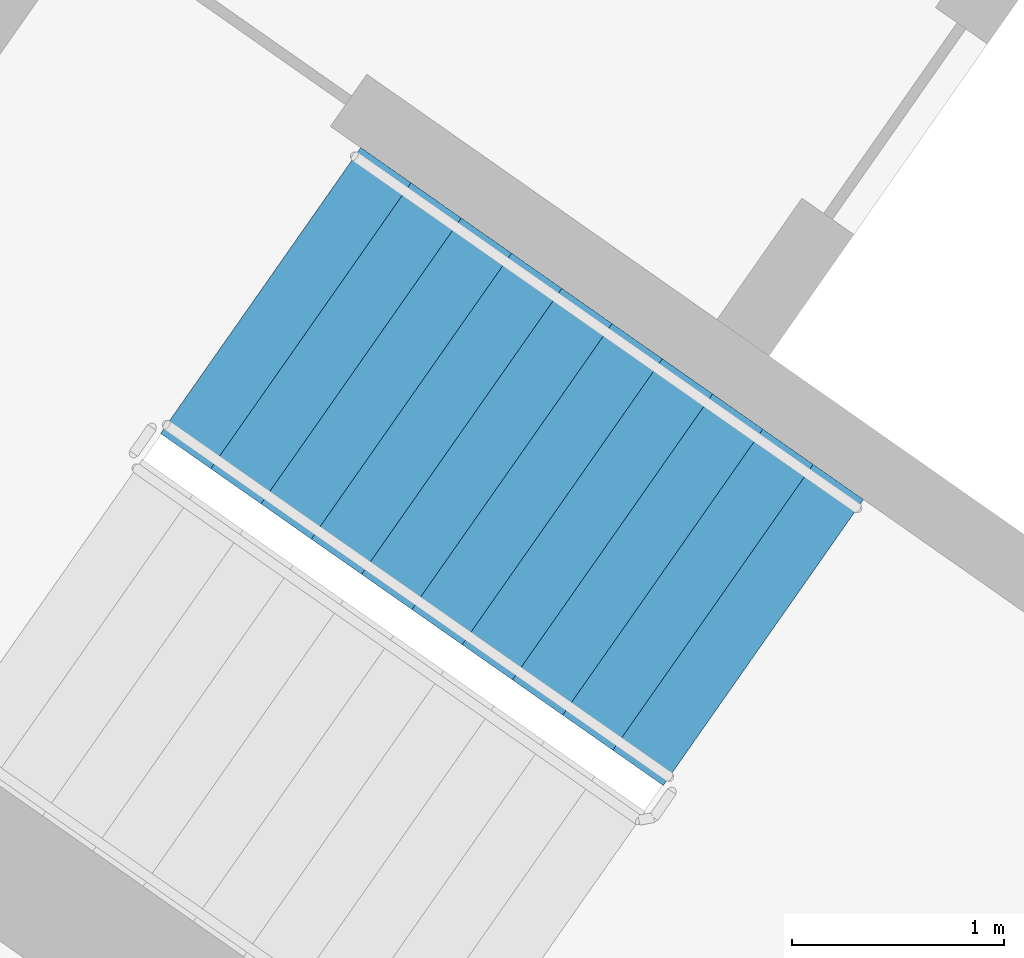
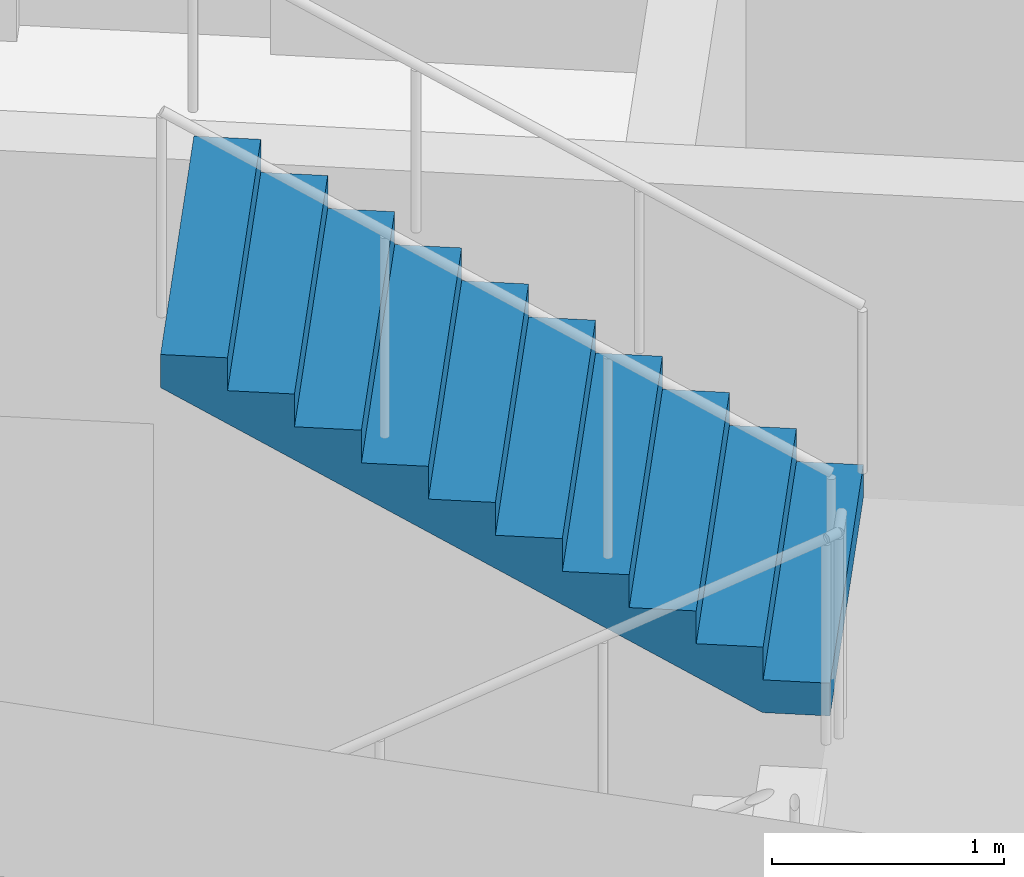
# One storey, part 10 of 27: 1 stair flight, 1 element without a shape of its own.
"""IFC4 building model written with IfcOpenShell, lengths in metres."""

from ifc_helpers import new_model, si_unit, direction, frame, origin, place, context, subcontext, project, spatial, faceted_brep, material, type_object, element, aggregate, save


model = new_model("IFC4")

# Units and contexts
model_context = context("Model", 3, precision=1e-05, world=origin(), true_north=direction((0.0, 1.0)))
body_context = subcontext(model_context, "Body", "Model", "MODEL_VIEW")
ifc_project = project(units=[si_unit("LENGTHUNIT", "METRE"), si_unit("AREAUNIT", "SQUARE_METRE"), si_unit("VOLUMEUNIT", "CUBIC_METRE"), si_unit("PLANEANGLEUNIT", "RADIAN"), si_unit("MASSUNIT", "GRAM", prefix="KILO")], contexts=[model_context])

# Site, building, storey
site_placement = place(None, origin())
site = spatial("IfcSite", under=ifc_project, at=site_placement, CompositionType="ELEMENT")
building_placement = place(site_placement, origin())
building = spatial("IfcBuilding", under=site, at=building_placement, Name="Qamariyya Broadcast Tower", CompositionType="ELEMENT")
storey_placement = place(building_placement, frame((0.0, 0.0, 172.10009765625)))
storey = spatial("IfcBuildingStorey", under=building, at=storey_placement, Name="L40", CompositionType="ELEMENT", Elevation=172.10009765625)

# Stair, stair flight
ifc_material = material(Name="Concrete C50/60", Category="concrete")
stair_type = type_object("IfcStairType", Name="Exit stair 22 risers of 173 mm", PredefinedType="HALF_TURN_STAIR", material=ifc_material)
stair_placement = place(storey_placement, origin())
stair = element("IfcStair", 1, at=stair_placement, inside=storey, type_object=stair_type, Name="L40 Stair W1", PredefinedType="HALF_TURN_STAIR")
stair_flight_type = type_object("IfcStairFlightType", Name="Exit stair flight 11 risers of 173 mm", PredefinedType="STRAIGHT", material=ifc_material)
stair_flight_placement = place(storey_placement, frame((-43.660888671875, -57.17138671875, 1.89990234375), z_axis=(0.0, 0.0, 1.0), x_axis=(-0.819152044289, 0.573576436351, 0.0)))
stair_flight = element("IfcStairFlight", 2, at=stair_flight_placement, type_object=stair_flight_type, Name="ST-W1 flight 2", NumberOfRisers=11, NumberOfTreads=10, PredefinedType="STRAIGHT", RiserHeight=0.172727273, TreadLength=0.29, context=body_context, shape_type="Brep", body=[
    faceted_brep([(0.0, 0.824951171875, 0.0), (0.0, 0.824951171875, 0.172607421875), (0.2900390625, 0.824951171875, 0.172607421875), (0.2900390625, 0.824951171875, 0.345458984375), (0.580078125, 0.824951171875, 0.345458984375), (0.580078125, 0.824951171875, 0.51806640625), (0.8701171875, 0.824951171875, 0.51806640625), (0.8701171875, 0.824951171875, 0.69091796875), (1.159912109375, 0.824951171875, 0.69091796875), (1.159912109375, 0.824951171875, 0.863525390625), (1.449951171875, 0.824951171875, 0.863525390625), (1.449951171875, 0.824951171875, 1.036376953125), (1.739990234375, 0.824951171875, 1.036376953125), (1.739990234375, 0.824951171875, 1.208984375), (2.030029296875, 0.824951171875, 1.208984375), (2.030029296875, 0.824951171875, 1.3818359375), (2.320068359375, 0.824951171875, 1.3818359375), (2.320068359375, 0.824951171875, 1.554443359375), (2.610107421875, 0.824951171875, 1.554443359375), (2.610107421875, 0.824951171875, 1.727294921875), (2.89990234375, 0.824951171875, 1.727294921875), (2.89990234375, 0.824951171875, 1.552734375), (0.29296875, 0.824951171875, 0.0), (0.29296875, -0.824951171875, 0.0), (2.89990234375, -0.824951171875, 1.552734375), (2.89990234375, -0.824951171875, 1.727294921875), (2.610107421875, -0.824951171875, 1.727294921875), (2.610107421875, -0.824951171875, 1.554443359375), (2.320068359375, -0.824951171875, 1.554443359375), (2.320068359375, -0.824951171875, 1.3818359375), (2.030029296875, -0.824951171875, 1.3818359375), (2.030029296875, -0.824951171875, 1.208984375), (1.739990234375, -0.824951171875, 1.208984375), (1.739990234375, -0.824951171875, 1.036376953125), (1.449951171875, -0.824951171875, 1.036376953125), (1.449951171875, -0.824951171875, 0.863525390625), (1.159912109375, -0.824951171875, 0.863525390625), (1.159912109375, -0.824951171875, 0.69091796875), (0.8701171875, -0.824951171875, 0.69091796875), (0.8701171875, -0.824951171875, 0.51806640625), (0.580078125, -0.824951171875, 0.51806640625), (0.580078125, -0.824951171875, 0.345458984375), (0.2900390625, -0.824951171875, 0.345458984375), (0.2900390625, -0.824951171875, 0.172607421875), (0.0, -0.824951171875, 0.172607421875), (0.0, -0.824951171875, 0.0), (0.0, 0.10009765625, 0.0), (0.0, 0.086669921875, 0.0), (0.0, 0.0732421875, 0.0), (0.0, 0.06005859375, 0.0), (0.0, 0.046630859375, 0.0), (0.0, 0.033447265625, 0.0), (0.0, 0.02001953125, 0.0), (0.0, 0.006591796875, 0.0), (0.0, -0.006591796875, 0.0), (0.0, -0.02001953125, 0.0), (0.0, -0.033447265625, 0.0), (0.0, -0.046630859375, 0.0), (0.0, -0.06005859375, 0.0), (0.0, -0.0732421875, 0.0), (0.0, -0.086669921875, 0.0), (0.0, -0.10009765625, 0.0), (0.0, -0.10009765625, 0.172607421875), (0.0, -0.086669921875, 0.172607421875), (0.0, -0.0732421875, 0.172607421875), (0.0, -0.06005859375, 0.172607421875), (0.0, -0.046630859375, 0.172607421875), (0.0, -0.033447265625, 0.172607421875), (0.0, -0.02001953125, 0.172607421875), (0.0, -0.006591796875, 0.172607421875), (0.0, 0.006591796875, 0.172607421875), (0.0, 0.02001953125, 0.172607421875), (0.0, 0.033447265625, 0.172607421875), (0.0, 0.046630859375, 0.172607421875), (0.0, 0.06005859375, 0.172607421875), (0.0, 0.0732421875, 0.172607421875), (0.0, 0.086669921875, 0.172607421875), (0.0, 0.10009765625, 0.172607421875), (0.2900390625, -0.10009765625, 0.172607421875), (0.2900390625, -0.086669921875, 0.172607421875), (0.2900390625, -0.0732421875, 0.172607421875), (0.2900390625, -0.06005859375, 0.172607421875), (0.2900390625, -0.046630859375, 0.172607421875), (0.2900390625, -0.033447265625, 0.172607421875), (0.2900390625, -0.02001953125, 0.172607421875), (0.2900390625, -0.006591796875, 0.172607421875), (0.2900390625, 0.006591796875, 0.172607421875), (0.2900390625, 0.02001953125, 0.172607421875), (0.2900390625, 0.033447265625, 0.172607421875), (0.2900390625, 0.046630859375, 0.172607421875), (0.2900390625, 0.06005859375, 0.172607421875), (0.2900390625, 0.0732421875, 0.172607421875), (0.2900390625, 0.086669921875, 0.172607421875), (0.2900390625, 0.10009765625, 0.172607421875), (0.2900390625, -0.10009765625, 0.345458984375), (0.2900390625, -0.086669921875, 0.345458984375), (0.2900390625, -0.0732421875, 0.345458984375), (0.2900390625, -0.06005859375, 0.345458984375), (0.2900390625, -0.046630859375, 0.345458984375), (0.2900390625, -0.033447265625, 0.345458984375), (0.2900390625, -0.02001953125, 0.345458984375), (0.2900390625, -0.006591796875, 0.345458984375), (0.2900390625, 0.006591796875, 0.345458984375), (0.2900390625, 0.02001953125, 0.345458984375), (0.2900390625, 0.033447265625, 0.345458984375), (0.2900390625, 0.046630859375, 0.345458984375), (0.2900390625, 0.06005859375, 0.345458984375), (0.2900390625, 0.0732421875, 0.345458984375), (0.2900390625, 0.086669921875, 0.345458984375), (0.2900390625, 0.10009765625, 0.345458984375), (0.580078125, -0.10009765625, 0.345458984375), (0.580078125, -0.086669921875, 0.345458984375), (0.580078125, -0.0732421875, 0.345458984375), (0.580078125, -0.06005859375, 0.345458984375), (0.580078125, -0.046630859375, 0.345458984375), (0.580078125, -0.033447265625, 0.345458984375), (0.580078125, -0.02001953125, 0.345458984375), (0.580078125, -0.006591796875, 0.345458984375), (0.580078125, 0.006591796875, 0.345458984375), (0.580078125, 0.02001953125, 0.345458984375), (0.580078125, 0.033447265625, 0.345458984375), (0.580078125, 0.046630859375, 0.345458984375), (0.580078125, 0.06005859375, 0.345458984375), (0.580078125, 0.0732421875, 0.345458984375), (0.580078125, 0.086669921875, 0.345458984375), (0.580078125, 0.10009765625, 0.345458984375), (0.580078125, -0.10009765625, 0.51806640625), (0.580078125, -0.086669921875, 0.51806640625), (0.580078125, -0.0732421875, 0.51806640625), (0.580078125, -0.06005859375, 0.51806640625), (0.580078125, -0.046630859375, 0.51806640625), (0.580078125, -0.033447265625, 0.51806640625), (0.580078125, -0.02001953125, 0.51806640625), (0.580078125, -0.006591796875, 0.51806640625), (0.580078125, 0.006591796875, 0.51806640625), (0.580078125, 0.02001953125, 0.51806640625), (0.580078125, 0.033447265625, 0.51806640625), (0.580078125, 0.046630859375, 0.51806640625), (0.580078125, 0.06005859375, 0.51806640625), (0.580078125, 0.0732421875, 0.51806640625), (0.580078125, 0.086669921875, 0.51806640625), (0.580078125, 0.10009765625, 0.51806640625), (0.8701171875, -0.10009765625, 0.51806640625), (0.8701171875, -0.086669921875, 0.51806640625), (0.8701171875, -0.0732421875, 0.51806640625), (0.8701171875, -0.06005859375, 0.51806640625), (0.8701171875, -0.046630859375, 0.51806640625), (0.8701171875, -0.033447265625, 0.51806640625), (0.8701171875, -0.02001953125, 0.51806640625), (0.8701171875, -0.006591796875, 0.51806640625), (0.8701171875, 0.006591796875, 0.51806640625), (0.8701171875, 0.02001953125, 0.51806640625), (0.8701171875, 0.033447265625, 0.51806640625), (0.8701171875, 0.046630859375, 0.51806640625), (0.8701171875, 0.06005859375, 0.51806640625), (0.8701171875, 0.0732421875, 0.51806640625), (0.8701171875, 0.086669921875, 0.51806640625), (0.8701171875, 0.10009765625, 0.51806640625), (0.8701171875, -0.10009765625, 0.69091796875), (0.8701171875, -0.086669921875, 0.69091796875), (0.8701171875, -0.0732421875, 0.69091796875), (0.8701171875, -0.06005859375, 0.69091796875), (0.8701171875, -0.046630859375, 0.69091796875), (0.8701171875, -0.033447265625, 0.69091796875), (0.8701171875, -0.02001953125, 0.69091796875), (0.8701171875, -0.006591796875, 0.69091796875), (0.8701171875, 0.006591796875, 0.69091796875), (0.8701171875, 0.02001953125, 0.69091796875), (0.8701171875, 0.033447265625, 0.69091796875), (0.8701171875, 0.046630859375, 0.69091796875), (0.8701171875, 0.06005859375, 0.69091796875), (0.8701171875, 0.0732421875, 0.69091796875), (0.8701171875, 0.086669921875, 0.69091796875), (0.8701171875, 0.10009765625, 0.69091796875), (1.159912109375, -0.10009765625, 0.69091796875), (1.159912109375, -0.086669921875, 0.69091796875), (1.159912109375, -0.0732421875, 0.69091796875), (1.159912109375, -0.06005859375, 0.69091796875), (1.159912109375, -0.046630859375, 0.69091796875), (1.159912109375, -0.033447265625, 0.69091796875), (1.159912109375, -0.02001953125, 0.69091796875), (1.159912109375, -0.006591796875, 0.69091796875), (1.159912109375, 0.006591796875, 0.69091796875), (1.159912109375, 0.02001953125, 0.69091796875), (1.159912109375, 0.033447265625, 0.69091796875), (1.159912109375, 0.046630859375, 0.69091796875), (1.159912109375, 0.06005859375, 0.69091796875), (1.159912109375, 0.0732421875, 0.69091796875), (1.159912109375, 0.086669921875, 0.69091796875), (1.159912109375, 0.10009765625, 0.69091796875), (1.159912109375, -0.10009765625, 0.863525390625), (1.159912109375, -0.086669921875, 0.863525390625), (1.159912109375, -0.0732421875, 0.863525390625), (1.159912109375, -0.06005859375, 0.863525390625), (1.159912109375, -0.046630859375, 0.863525390625), (1.159912109375, -0.033447265625, 0.863525390625), (1.159912109375, -0.02001953125, 0.863525390625), (1.159912109375, -0.006591796875, 0.863525390625), (1.159912109375, 0.006591796875, 0.863525390625), (1.159912109375, 0.02001953125, 0.863525390625), (1.159912109375, 0.033447265625, 0.863525390625), (1.159912109375, 0.046630859375, 0.863525390625), (1.159912109375, 0.06005859375, 0.863525390625), (1.159912109375, 0.0732421875, 0.863525390625), (1.159912109375, 0.086669921875, 0.863525390625), (1.159912109375, 0.10009765625, 0.863525390625), (1.449951171875, -0.10009765625, 0.863525390625), (1.449951171875, -0.086669921875, 0.863525390625), (1.449951171875, -0.0732421875, 0.863525390625), (1.449951171875, -0.06005859375, 0.863525390625), (1.449951171875, -0.046630859375, 0.863525390625), (1.449951171875, -0.033447265625, 0.863525390625), (1.449951171875, -0.02001953125, 0.863525390625), (1.449951171875, -0.006591796875, 0.863525390625), (1.449951171875, 0.006591796875, 0.863525390625), (1.449951171875, 0.02001953125, 0.863525390625), (1.449951171875, 0.033447265625, 0.863525390625), (1.449951171875, 0.046630859375, 0.863525390625), (1.449951171875, 0.06005859375, 0.863525390625), (1.449951171875, 0.0732421875, 0.863525390625), (1.449951171875, 0.086669921875, 0.863525390625), (1.449951171875, 0.10009765625, 0.863525390625), (1.449951171875, -0.10009765625, 1.036376953125), (1.449951171875, -0.086669921875, 1.036376953125), (1.449951171875, -0.0732421875, 1.036376953125), (1.449951171875, -0.06005859375, 1.036376953125), (1.449951171875, -0.046630859375, 1.036376953125), (1.449951171875, -0.033447265625, 1.036376953125), (1.449951171875, -0.02001953125, 1.036376953125), (1.449951171875, -0.006591796875, 1.036376953125), (1.449951171875, 0.006591796875, 1.036376953125), (1.449951171875, 0.02001953125, 1.036376953125), (1.449951171875, 0.033447265625, 1.036376953125), (1.449951171875, 0.046630859375, 1.036376953125), (1.449951171875, 0.06005859375, 1.036376953125), (1.449951171875, 0.0732421875, 1.036376953125), (1.449951171875, 0.086669921875, 1.036376953125), (1.449951171875, 0.10009765625, 1.036376953125), (1.739990234375, -0.10009765625, 1.036376953125), (1.739990234375, -0.086669921875, 1.036376953125), (1.739990234375, -0.0732421875, 1.036376953125), (1.739990234375, -0.06005859375, 1.036376953125), (1.739990234375, -0.046630859375, 1.036376953125), (1.739990234375, -0.033447265625, 1.036376953125), (1.739990234375, -0.02001953125, 1.036376953125), (1.739990234375, -0.006591796875, 1.036376953125), (1.739990234375, 0.006591796875, 1.036376953125), (1.739990234375, 0.02001953125, 1.036376953125), (1.739990234375, 0.033447265625, 1.036376953125), (1.739990234375, 0.046630859375, 1.036376953125), (1.739990234375, 0.06005859375, 1.036376953125), (1.739990234375, 0.0732421875, 1.036376953125), (1.739990234375, 0.086669921875, 1.036376953125), (1.739990234375, 0.10009765625, 1.036376953125), (1.739990234375, -0.10009765625, 1.208984375), (1.739990234375, -0.086669921875, 1.208984375), (1.739990234375, -0.0732421875, 1.208984375), (1.739990234375, -0.06005859375, 1.208984375), (1.739990234375, -0.046630859375, 1.208984375), (1.739990234375, -0.033447265625, 1.208984375), (1.739990234375, -0.02001953125, 1.208984375), (1.739990234375, -0.006591796875, 1.208984375), (1.739990234375, 0.006591796875, 1.208984375), (1.739990234375, 0.02001953125, 1.208984375), (1.739990234375, 0.033447265625, 1.208984375), (1.739990234375, 0.046630859375, 1.208984375), (1.739990234375, 0.06005859375, 1.208984375), (1.739990234375, 0.0732421875, 1.208984375), (1.739990234375, 0.086669921875, 1.208984375), (1.739990234375, 0.10009765625, 1.208984375), (2.030029296875, -0.10009765625, 1.208984375), (2.030029296875, -0.086669921875, 1.208984375), (2.030029296875, -0.0732421875, 1.208984375), (2.030029296875, -0.06005859375, 1.208984375), (2.030029296875, -0.046630859375, 1.208984375), (2.030029296875, -0.033447265625, 1.208984375), (2.030029296875, -0.02001953125, 1.208984375), (2.030029296875, -0.006591796875, 1.208984375), (2.030029296875, 0.006591796875, 1.208984375), (2.030029296875, 0.02001953125, 1.208984375), (2.030029296875, 0.033447265625, 1.208984375), (2.030029296875, 0.046630859375, 1.208984375), (2.030029296875, 0.06005859375, 1.208984375), (2.030029296875, 0.0732421875, 1.208984375), (2.030029296875, 0.086669921875, 1.208984375), (2.030029296875, 0.10009765625, 1.208984375), (2.030029296875, -0.10009765625, 1.3818359375), (2.030029296875, -0.086669921875, 1.3818359375), (2.030029296875, -0.0732421875, 1.3818359375), (2.030029296875, -0.06005859375, 1.3818359375), (2.030029296875, -0.046630859375, 1.3818359375), (2.030029296875, -0.033447265625, 1.3818359375), (2.030029296875, -0.02001953125, 1.3818359375), (2.030029296875, -0.006591796875, 1.3818359375), (2.030029296875, 0.006591796875, 1.3818359375), (2.030029296875, 0.02001953125, 1.3818359375), (2.030029296875, 0.033447265625, 1.3818359375), (2.030029296875, 0.046630859375, 1.3818359375), (2.030029296875, 0.06005859375, 1.3818359375), (2.030029296875, 0.0732421875, 1.3818359375), (2.030029296875, 0.086669921875, 1.3818359375), (2.030029296875, 0.10009765625, 1.3818359375), (2.320068359375, -0.10009765625, 1.3818359375), (2.320068359375, -0.086669921875, 1.3818359375), (2.320068359375, -0.0732421875, 1.3818359375), (2.320068359375, -0.06005859375, 1.3818359375), (2.320068359375, -0.046630859375, 1.3818359375), (2.320068359375, -0.033447265625, 1.3818359375), (2.320068359375, -0.02001953125, 1.3818359375), (2.320068359375, -0.006591796875, 1.3818359375), (2.320068359375, 0.006591796875, 1.3818359375), (2.320068359375, 0.02001953125, 1.3818359375), (2.320068359375, 0.033447265625, 1.3818359375), (2.320068359375, 0.046630859375, 1.3818359375), (2.320068359375, 0.06005859375, 1.3818359375), (2.320068359375, 0.0732421875, 1.3818359375), (2.320068359375, 0.086669921875, 1.3818359375), (2.320068359375, 0.10009765625, 1.3818359375), (2.320068359375, -0.10009765625, 1.554443359375), (2.320068359375, -0.086669921875, 1.554443359375), (2.320068359375, -0.0732421875, 1.554443359375), (2.320068359375, -0.06005859375, 1.554443359375), (2.320068359375, -0.046630859375, 1.554443359375), (2.320068359375, -0.033447265625, 1.554443359375), (2.320068359375, -0.02001953125, 1.554443359375), (2.320068359375, -0.006591796875, 1.554443359375), (2.320068359375, 0.006591796875, 1.554443359375), (2.320068359375, 0.02001953125, 1.554443359375), (2.320068359375, 0.033447265625, 1.554443359375), (2.320068359375, 0.046630859375, 1.554443359375), (2.320068359375, 0.06005859375, 1.554443359375), (2.320068359375, 0.0732421875, 1.554443359375), (2.320068359375, 0.086669921875, 1.554443359375), (2.320068359375, 0.10009765625, 1.554443359375), (2.610107421875, -0.10009765625, 1.554443359375), (2.610107421875, -0.086669921875, 1.554443359375), (2.610107421875, -0.0732421875, 1.554443359375), (2.610107421875, -0.06005859375, 1.554443359375), (2.610107421875, -0.046630859375, 1.554443359375), (2.610107421875, -0.033447265625, 1.554443359375), (2.610107421875, -0.02001953125, 1.554443359375), (2.610107421875, -0.006591796875, 1.554443359375), (2.610107421875, 0.006591796875, 1.554443359375), (2.610107421875, 0.02001953125, 1.554443359375), (2.610107421875, 0.033447265625, 1.554443359375), (2.610107421875, 0.046630859375, 1.554443359375), (2.610107421875, 0.06005859375, 1.554443359375), (2.610107421875, 0.0732421875, 1.554443359375), (2.610107421875, 0.086669921875, 1.554443359375), (2.610107421875, 0.10009765625, 1.554443359375), (2.610107421875, -0.10009765625, 1.727294921875), (2.610107421875, -0.086669921875, 1.727294921875), (2.610107421875, -0.0732421875, 1.727294921875), (2.610107421875, -0.06005859375, 1.727294921875), (2.610107421875, -0.046630859375, 1.727294921875), (2.610107421875, -0.033447265625, 1.727294921875), (2.610107421875, -0.02001953125, 1.727294921875), (2.610107421875, -0.006591796875, 1.727294921875), (2.610107421875, 0.006591796875, 1.727294921875), (2.610107421875, 0.02001953125, 1.727294921875), (2.610107421875, 0.033447265625, 1.727294921875), (2.610107421875, 0.046630859375, 1.727294921875), (2.610107421875, 0.06005859375, 1.727294921875), (2.610107421875, 0.0732421875, 1.727294921875), (2.610107421875, 0.086669921875, 1.727294921875), (2.610107421875, 0.10009765625, 1.727294921875), (2.89990234375, -0.10009765625, 1.727294921875), (2.89990234375, -0.086669921875, 1.727294921875), (2.89990234375, -0.0732421875, 1.727294921875), (2.89990234375, -0.06005859375, 1.727294921875), (2.89990234375, -0.046630859375, 1.727294921875), (2.89990234375, -0.033447265625, 1.727294921875), (2.89990234375, -0.02001953125, 1.727294921875), (2.89990234375, -0.006591796875, 1.727294921875), (2.89990234375, 0.006591796875, 1.727294921875), (2.89990234375, 0.02001953125, 1.727294921875), (2.89990234375, 0.033447265625, 1.727294921875), (2.89990234375, 0.046630859375, 1.727294921875), (2.89990234375, 0.06005859375, 1.727294921875), (2.89990234375, 0.0732421875, 1.727294921875), (2.89990234375, 0.086669921875, 1.727294921875), (2.89990234375, 0.10009765625, 1.727294921875), (2.89990234375, -0.10009765625, 1.552734375), (2.89990234375, -0.086669921875, 1.552734375), (2.89990234375, -0.0732421875, 1.552734375), (2.89990234375, -0.06005859375, 1.552734375), (2.89990234375, -0.046630859375, 1.552734375), (2.89990234375, -0.033447265625, 1.552734375), (2.89990234375, -0.02001953125, 1.552734375), (2.89990234375, -0.006591796875, 1.552734375), (2.89990234375, 0.006591796875, 1.552734375), (2.89990234375, 0.02001953125, 1.552734375), (2.89990234375, 0.033447265625, 1.552734375), (2.89990234375, 0.046630859375, 1.552734375), (2.89990234375, 0.06005859375, 1.552734375), (2.89990234375, 0.0732421875, 1.552734375), (2.89990234375, 0.086669921875, 1.552734375), (2.89990234375, 0.10009765625, 1.552734375), (0.29296875, -0.10009765625, 0.0), (0.29296875, -0.086669921875, 0.0), (0.29296875, -0.0732421875, 0.0), (0.29296875, -0.06005859375, 0.0), (0.29296875, -0.046630859375, 0.0), (0.29296875, -0.033447265625, 0.0), (0.29296875, -0.02001953125, 0.0), (0.29296875, -0.006591796875, 0.0), (0.29296875, 0.006591796875, 0.0), (0.29296875, 0.02001953125, 0.0), (0.29296875, 0.033447265625, 0.0), (0.29296875, 0.046630859375, 0.0), (0.29296875, 0.06005859375, 0.0), (0.29296875, 0.0732421875, 0.0), (0.29296875, 0.086669921875, 0.0), (0.29296875, 0.10009765625, 0.0)], [[[0, 1, 2, 3, 4, 5, 6, 7, 8, 9, 10, 11, 12, 13, 14, 15, 16, 17, 18, 19, 20, 21, 22]], [[23, 24, 25, 26, 27, 28, 29, 30, 31, 32, 33, 34, 35, 36, 37, 38, 39, 40, 41, 42, 43, 44, 45]], [[0, 46, 47, 48, 49, 50, 51, 52, 53, 54, 55, 56, 57, 58, 59, 60, 61, 45, 44, 62, 63, 64, 65, 66, 67, 68, 69, 70, 71, 72, 73, 74, 75, 76, 77, 1]], [[1, 77, 76, 75, 74, 73, 72, 71, 70, 69, 68, 67, 66, 65, 64, 63, 62, 44, 43, 78, 79, 80, 81, 82, 83, 84, 85, 86, 87, 88, 89, 90, 91, 92, 93, 2]], [[2, 93, 92, 91, 90, 89, 88, 87, 86, 85, 84, 83, 82, 81, 80, 79, 78, 43, 42, 94, 95, 96, 97, 98, 99, 100, 101, 102, 103, 104, 105, 106, 107, 108, 109, 3]], [[3, 109, 108, 107, 106, 105, 104, 103, 102, 101, 100, 99, 98, 97, 96, 95, 94, 42, 41, 110, 111, 112, 113, 114, 115, 116, 117, 118, 119, 120, 121, 122, 123, 124, 125, 4]], [[4, 125, 124, 123, 122, 121, 120, 119, 118, 117, 116, 115, 114, 113, 112, 111, 110, 41, 40, 126, 127, 128, 129, 130, 131, 132, 133, 134, 135, 136, 137, 138, 139, 140, 141, 5]], [[5, 141, 140, 139, 138, 137, 136, 135, 134, 133, 132, 131, 130, 129, 128, 127, 126, 40, 39, 142, 143, 144, 145, 146, 147, 148, 149, 150, 151, 152, 153, 154, 155, 156, 157, 6]], [[6, 157, 156, 155, 154, 153, 152, 151, 150, 149, 148, 147, 146, 145, 144, 143, 142, 39, 38, 158, 159, 160, 161, 162, 163, 164, 165, 166, 167, 168, 169, 170, 171, 172, 173, 7]], [[7, 173, 172, 171, 170, 169, 168, 167, 166, 165, 164, 163, 162, 161, 160, 159, 158, 38, 37, 174, 175, 176, 177, 178, 179, 180, 181, 182, 183, 184, 185, 186, 187, 188, 189, 8]], [[8, 189, 188, 187, 186, 185, 184, 183, 182, 181, 180, 179, 178, 177, 176, 175, 174, 37, 36, 190, 191, 192, 193, 194, 195, 196, 197, 198, 199, 200, 201, 202, 203, 204, 205, 9]], [[9, 205, 204, 203, 202, 201, 200, 199, 198, 197, 196, 195, 194, 193, 192, 191, 190, 36, 35, 206, 207, 208, 209, 210, 211, 212, 213, 214, 215, 216, 217, 218, 219, 220, 221, 10]], [[10, 221, 220, 219, 218, 217, 216, 215, 214, 213, 212, 211, 210, 209, 208, 207, 206, 35, 34, 222, 223, 224, 225, 226, 227, 228, 229, 230, 231, 232, 233, 234, 235, 236, 237, 11]], [[11, 237, 236, 235, 234, 233, 232, 231, 230, 229, 228, 227, 226, 225, 224, 223, 222, 34, 33, 238, 239, 240, 241, 242, 243, 244, 245, 246, 247, 248, 249, 250, 251, 252, 253, 12]], [[12, 253, 252, 251, 250, 249, 248, 247, 246, 245, 244, 243, 242, 241, 240, 239, 238, 33, 32, 254, 255, 256, 257, 258, 259, 260, 261, 262, 263, 264, 265, 266, 267, 268, 269, 13]], [[13, 269, 268, 267, 266, 265, 264, 263, 262, 261, 260, 259, 258, 257, 256, 255, 254, 32, 31, 270, 271, 272, 273, 274, 275, 276, 277, 278, 279, 280, 281, 282, 283, 284, 285, 14]], [[14, 285, 284, 283, 282, 281, 280, 279, 278, 277, 276, 275, 274, 273, 272, 271, 270, 31, 30, 286, 287, 288, 289, 290, 291, 292, 293, 294, 295, 296, 297, 298, 299, 300, 301, 15]], [[15, 301, 300, 299, 298, 297, 296, 295, 294, 293, 292, 291, 290, 289, 288, 287, 286, 30, 29, 302, 303, 304, 305, 306, 307, 308, 309, 310, 311, 312, 313, 314, 315, 316, 317, 16]], [[16, 317, 316, 315, 314, 313, 312, 311, 310, 309, 308, 307, 306, 305, 304, 303, 302, 29, 28, 318, 319, 320, 321, 322, 323, 324, 325, 326, 327, 328, 329, 330, 331, 332, 333, 17]], [[17, 333, 332, 331, 330, 329, 328, 327, 326, 325, 324, 323, 322, 321, 320, 319, 318, 28, 27, 334, 335, 336, 337, 338, 339, 340, 341, 342, 343, 344, 345, 346, 347, 348, 349, 18]], [[18, 349, 348, 347, 346, 345, 344, 343, 342, 341, 340, 339, 338, 337, 336, 335, 334, 27, 26, 350, 351, 352, 353, 354, 355, 356, 357, 358, 359, 360, 361, 362, 363, 364, 365, 19]], [[19, 365, 364, 363, 362, 361, 360, 359, 358, 357, 356, 355, 354, 353, 352, 351, 350, 26, 25, 366, 367, 368, 369, 370, 371, 372, 373, 374, 375, 376, 377, 378, 379, 380, 381, 20]], [[20, 381, 380, 379, 378, 377, 376, 375, 374, 373, 372, 371, 370, 369, 368, 367, 366, 25, 24, 382, 383, 384, 385, 386, 387, 388, 389, 390, 391, 392, 393, 394, 395, 396, 397, 21]], [[21, 397, 396, 395, 394, 393, 392, 391, 390, 389, 388, 387, 386, 385, 384, 383, 382, 24, 23, 398, 399, 400, 401, 402, 403, 404, 405, 406, 407, 408, 409, 410, 411, 412, 413, 22]], [[22, 413, 412, 411, 410, 409, 408, 407, 406, 405, 404, 403, 402, 401, 400, 399, 398, 23, 45, 61, 60, 59, 58, 57, 56, 55, 54, 53, 52, 51, 50, 49, 48, 47, 46, 0]]]),
])
aggregate(stair, [stair_flight])

save(model, "model.ifc")
